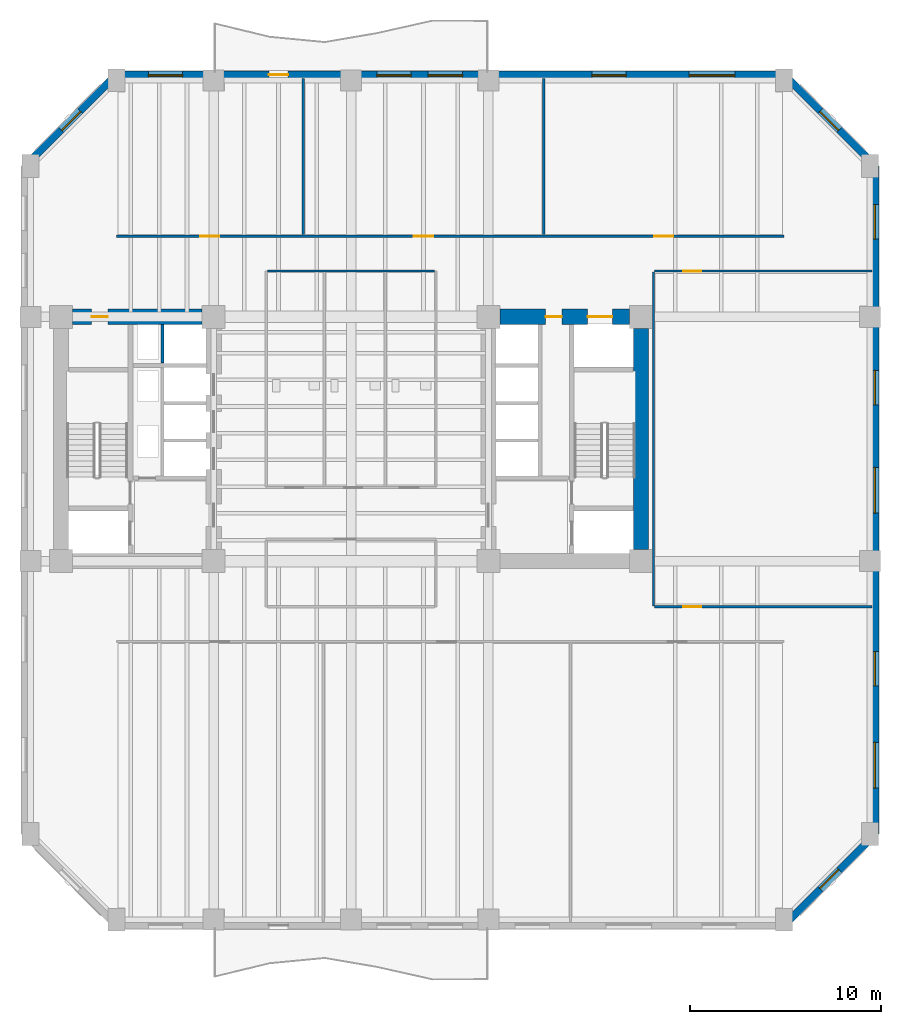
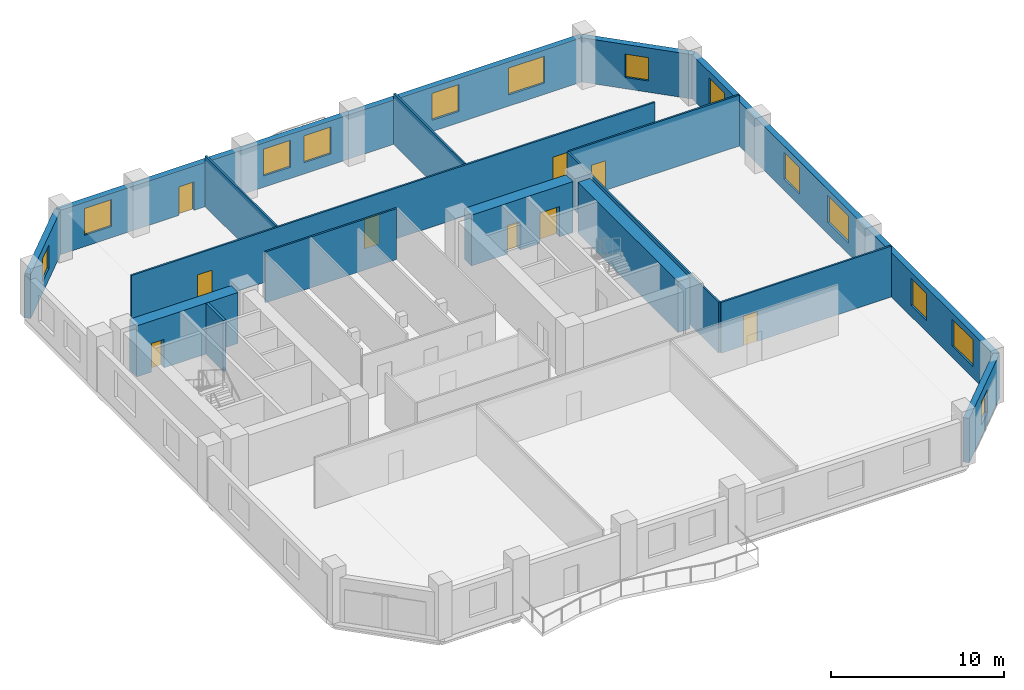
# One storey, part 4 of 9: 16 walls, 13 windows, 9 doors, 22 openings.
"""IFC4 building model written with IfcOpenShell, lengths in metres."""

import ifcopenshell
import ifcopenshell.guid

model = None  # the IFC model being written
_history = None  # IfcOwnerHistory: only IFC2X3 demands one
_inside = {}  # id of a spatial element -> (the spatial element, [elements in it])
_under = {}  # id of a project, library or spatial element -> (it, [spatial elements below it])
_declared = {}  # id of a project -> (the project, [libraries it declares])
_typed = {}  # id of a type object -> (the type object, [elements of that type])
_made_of = {}  # id of a material, layer set ... -> (it, [elements and type objects made of it])


def new_model(schema):
    """Start an empty IFC model of exactly this schema.

    Asked for "IFC4X3", IfcOpenShell would pick the latest addendum, in which some entities
    have other attributes; the version numbers below select the first issue.
    IFC2X3 requires an IfcOwnerHistory on every rooted entity: one is made here for all.
    """
    global model, _history
    if schema == "IFC4X3":
        model = ifcopenshell.file(schema_version=(4, 3, 0, 0))
    else:
        model = ifcopenshell.file(schema=schema)
    _inside.clear()
    _under.clear()
    _declared.clear()
    _typed.clear()
    _made_of.clear()
    _history = None
    if model.schema == "IFC2X3":
        org = make("IfcOrganization", Name="unknown")
        user = make(
            "IfcPersonAndOrganization",
            ThePerson=make("IfcPerson", FamilyName="unknown"),
            TheOrganization=org,
        )
        app = make(
            "IfcApplication",
            ApplicationDeveloper=org,
            Version="unknown",
            ApplicationFullName="unknown",
            ApplicationIdentifier="unknown",
        )
        _history = make(
            "IfcOwnerHistory",
            OwningUser=user,
            OwningApplication=app,
            ChangeAction="ADDED",
            CreationDate=0,
        )
    return model


def make(cls, **values):
    """One entity of the class cls with the attributes given. An attribute that is None is left unset."""
    return model.create_entity(
        cls, **{name: value for name, value in values.items() if value is not None}
    )


def rooted(cls, **values):
    """An entity with a GlobalId (a new one), such as an element, a storey or a relation."""
    return make(cls, GlobalId=ifcopenshell.guid.new(), OwnerHistory=_history, **values)


def si_unit(unit_type, name, prefix=None):
    """IfcSIUnit, for example si_unit("LENGTHUNIT", "METRE", prefix="MILLI")."""
    return make("IfcSIUnit", UnitType=unit_type, Prefix=prefix, Name=name)


def assignment(units):
    """IfcUnitAssignment: the units of a project."""
    return None if units is None else make("IfcUnitAssignment", Units=units)


def point(xyz):
    """IfcCartesianPoint."""
    return None if xyz is None else make("IfcCartesianPoint", Coordinates=xyz)


def direction(xyz):
    """IfcDirection."""
    return None if xyz is None else make("IfcDirection", DirectionRatios=xyz)


def frame(location, z_axis=None, x_axis=None):
    """IfcAxis2Placement3D, a coordinate frame: its origin and axes. An axis left out is left unset."""
    return make(
        "IfcAxis2Placement3D",
        Location=point(location),
        Axis=direction(z_axis),
        RefDirection=direction(x_axis),
    )


def frame_2d(location, x_axis=None):
    """IfcAxis2Placement2D, a coordinate frame in the plane: its origin and x axis."""
    return make(
        "IfcAxis2Placement2D", Location=point(location), RefDirection=direction(x_axis)
    )


def origin():
    """The frame at (0, 0, 0) with its axes left unset."""
    return frame((0.0, 0.0, 0.0))


def place(relative_to, where):
    """IfcLocalPlacement: puts the frame where relative to a parent placement (None: the world)."""
    return make(
        "IfcLocalPlacement", PlacementRelTo=relative_to, RelativePlacement=where
    )


def context(
    kind, dimensions, precision=None, world=None, true_north=None, identifier=None
):
    """IfcGeometricRepresentationContext, for example the 3D "Model" context."""
    return make(
        "IfcGeometricRepresentationContext",
        ContextIdentifier=identifier,
        ContextType=kind,
        CoordinateSpaceDimension=dimensions,
        Precision=precision,
        WorldCoordinateSystem=world,
        TrueNorth=true_north,
    )


def subcontext(parent, identifier, kind, view, scale=None):
    """IfcGeometricRepresentationSubContext, for example "Body" below "Model"."""
    return make(
        "IfcGeometricRepresentationSubContext",
        ContextIdentifier=identifier,
        ContextType=kind,
        ParentContext=parent,
        TargetScale=scale,
        TargetView=view,
    )


def project(units=None, contexts=None):
    """IfcProject with its units and contexts."""
    return rooted(
        "IfcProject",
        Name="project",
        RepresentationContexts=contexts,
        UnitsInContext=assignment(units),
    )


def spatial(cls, under=None, at=None, **own):
    """A site, building, storey or space (cls), placed at a placement, below another one or the project."""
    s = rooted(cls, ObjectPlacement=at, **own)
    if under is not None:
        _under.setdefault(under.id(), (under, []))[1].append(s)
    return s


def profile(cls, at=None, kind="AREA", **sizes):
    """A parametric profile (cls). Its sizes go by their IFC names, for example OverallWidth=200.0."""
    return make(cls, ProfileType=kind, Position=at, **sizes)


def rectangle(**sizes):
    """IfcRectangleProfileDef."""
    return profile("IfcRectangleProfileDef", **sizes)


def extrude(swept, where, along, depth):
    """IfcExtrudedAreaSolid: the profile swept, set in the frame where, extruded along a direction by depth."""
    return make(
        "IfcExtrudedAreaSolid",
        SweptArea=swept,
        Position=where,
        ExtrudedDirection=direction(along),
        Depth=depth,
    )


def shape(context_of_items, identifier, shape_type, items):
    """IfcShapeRepresentation: the items that make up one representation, for example the "Body"."""
    return make(
        "IfcShapeRepresentation",
        ContextOfItems=context_of_items,
        RepresentationIdentifier=identifier,
        RepresentationType=shape_type,
        Items=items,
    )


def material(Name=None, Category=None):
    """IfcMaterial."""
    return make("IfcMaterial", Name=Name, Category=Category)


def layer(
    of_material, thickness, ventilated=None, Name=None, Category=None, Priority=None
):
    """IfcMaterialLayer: one layer of a wall or slab, of a material (None: an air gap)."""
    return make(
        "IfcMaterialLayer",
        Material=of_material,
        LayerThickness=thickness,
        IsVentilated=ventilated,
        Name=Name,
        Category=Category,
        Priority=Priority,
    )


def layer_set(layers, Name=None):
    """IfcMaterialLayerSet."""
    return make("IfcMaterialLayerSet", MaterialLayers=layers, LayerSetName=Name)


def made_of(thing, what):
    """Note that an element or type object is made of a material, layer set ...; save() writes the relation."""
    if what is not None:
        _made_of.setdefault(what.id(), (what, []))[1].append(thing)
    return thing


def type_object(cls, material=None, **own):
    """A type object (cls), such as IfcWallType, which elements share."""
    return made_of(rooted(cls, **own), material)


def element(
    cls,
    number,
    at=None,
    inside=None,
    cuts=None,
    type_object=None,
    material=None,
    context=None,
    identifier="Body",
    shape_type=None,
    held_by="IfcProductDefinitionShape",
    body=None,
    shapes=None,
    **own,
):
    """One element of the class cls, such as IfcWall. Its Tag is "e" and its number.

    at: its placement. inside: the storey or other place that contains it. cuts: it is an
    opening in that element (IfcRelVoidsElement). A single representation is given by context,
    identifier, shape_type and body (its items); several are given by shapes. held_by: the class
    of the entity that holds the representations. save() writes the other relations.
    """
    e = rooted(cls, Tag="e%d" % number, ObjectPlacement=at, **own)
    if body is not None:
        shapes = [shape(context, identifier, shape_type, body)]
    if shapes is not None:
        e.Representation = make(held_by, Representations=shapes)
    if inside is not None:
        _inside.setdefault(inside.id(), (inside, []))[1].append(e)
    if cuts is not None:
        rooted(
            "IfcRelVoidsElement", RelatingBuildingElement=cuts, RelatedOpeningElement=e
        )
    if type_object is not None:
        _typed.setdefault(type_object.id(), (type_object, []))[1].append(e)
    return made_of(e, material)


def fill(opening, filler):
    """IfcRelFillsElement: the door or window that sits in an opening."""
    return rooted(
        "IfcRelFillsElement",
        RelatingOpeningElement=opening,
        RelatedBuildingElement=filler,
    )


def aggregate(whole, parts):
    """IfcRelAggregates: a whole, such as a stair, and the parts it consists of."""
    return rooted("IfcRelAggregates", RelatingObject=whole, RelatedObjects=parts)


def save(model, path):
    """Write the relations noted so far, then the file.

    IfcRelAggregates (storeys below a building ...), IfcRelContainedInSpatialStructure (elements
    in a storey), IfcRelDefinesByType, IfcRelAssociatesMaterial and IfcRelDeclares: one each for
    every whole, place, type object, material and project.
    """
    for whole, parts in _under.values():
        aggregate(whole, parts)
    for where, things in _inside.values():
        rooted(
            "IfcRelContainedInSpatialStructure",
            RelatedElements=things,
            RelatingStructure=where,
        )
    for kind, things in _typed.values():
        rooted("IfcRelDefinesByType", RelatedObjects=things, RelatingType=kind)
    for what, things in _made_of.values():
        rooted("IfcRelAssociatesMaterial", RelatedObjects=things, RelatingMaterial=what)
    for by, libraries in _declared.values():
        rooted("IfcRelDeclares", RelatingContext=by, RelatedDefinitions=libraries)
    model.write(path)


model = new_model("IFC4")

# Units and contexts
model_context = context("Model", 3, precision=1e-05, world=origin(), true_north=direction((0.0, 1.0)))
body_context = subcontext(model_context, "Body", "Model", "MODEL_VIEW")
ifc_project = project(units=[si_unit("LENGTHUNIT", "METRE"), si_unit("AREAUNIT", "SQUARE_METRE"), si_unit("VOLUMEUNIT", "CUBIC_METRE"), si_unit("PLANEANGLEUNIT", "RADIAN"), si_unit("MASSUNIT", "GRAM", prefix="KILO")], contexts=[model_context])

# Site, building, storey
site_placement = place(None, origin())
site = spatial("IfcSite", under=ifc_project, at=site_placement, CompositionType="ELEMENT")
building_placement = place(site_placement, origin())
building = spatial("IfcBuilding", under=site, at=building_placement, Name="Kranthara Brick Stack", CompositionType="ELEMENT")
storey_placement = place(building_placement, frame((0.0, 0.0, 55.5)))
storey = spatial("IfcBuildingStorey", under=building, at=storey_placement, Name="L13", CompositionType="ELEMENT", Elevation=55.5)

# Wall, opening, window
ifc_material_1 = material(Name="Kiln-fired clay brick masonry M15", Category="masonry")
ifc_layer_1 = layer(ifc_material_1, 0.3798828125)
ifc_layer_set_1 = layer_set([ifc_layer_1], Name="Kiln-fired clay brick masonry M15")
wall_type_1 = type_object("IfcWallType", Name="WL-BRK-PIER-380", PredefinedType="STANDARD", material=ifc_layer_set_1)
wall_1_placement = place(storey_placement, frame((10.909912109375, 41.5, 0.0), z_axis=(0.0, 0.0, 1.0), x_axis=(0.707106781187, 0.707106781187, 0.0)))
wall_1 = element("IfcWall", 1, at=wall_1_placement, inside=storey, type_object=wall_type_1, Name="L13 Exterior Brick Facade Wall NW 1", PredefinedType="STANDARD", context=body_context, shape_type="SweptSolid", body=[
    extrude(rectangle(XDim=6.774169921875, YDim=0.3798828125, at=frame_2d((3.38720703125, 0.0))), origin(), (0.0, 0.0, 1.0), 3.135009765625),
])
opening_1_placement = place(wall_1_placement, frame((2.68701171875, 0.0, 0.800048828125)))
opening_1 = element("IfcOpeningElement", 2, at=opening_1_placement, cuts=wall_1, Name="Opening WN10", PredefinedType="OPENING", context=body_context, shape_type="SweptSolid", body=[
    extrude(rectangle(XDim=1.39990234375, YDim=1.64990234375, at=frame_2d((0.699951171875, 0.824951171875))), frame((0.0, 0.199951171875, 0.0), z_axis=(0.0, -1.0, 0.0), x_axis=(1.0, 0.0, 0.0)), (0.0, 0.0, 1.0), 0.39990234375),
])
ifc_material_2 = material(Name="Double-glazed low-E solar control glass", Category="glass")
window_type_1 = type_object("IfcWindowType", Name="WN-CHM-1400x1750", PartitioningType="SINGLE_PANEL", PredefinedType="WINDOW", material=ifc_material_2)
window_1_placement = place(opening_1_placement, origin())
window_1 = element("IfcWindow", 3, at=window_1_placement, inside=storey, type_object=window_type_1, Name="L13 NW Chamfer Corner Window", OverallHeight=1.64990234375, OverallWidth=1.39990234375, PartitioningType="SINGLE_PANEL", PredefinedType="WINDOW", context=body_context, shape_type="SweptSolid", body=[
    extrude(rectangle(XDim=1.39990234375, YDim=1.64990234375, at=frame_2d((0.699951171875, 0.824951171875))), frame((0.0, -0.010009765625, 0.0), z_axis=(0.0, -1.0, 0.0), x_axis=(1.0, 0.0, 0.0)), (0.0, 0.0, 1.0), 0.06005859375),
])
fill(opening_1, window_1)

# Wall, openings, door, windows
wall_2_placement = place(storey_placement, frame((15.699951171875, 46.2900390625, 0.0), z_axis=(0.0, 0.0, 1.0), x_axis=(1.0, 0.0, 0.0)))
wall_2 = element("IfcWall", 4, at=wall_2_placement, inside=storey, type_object=wall_type_1, Name="L13 Exterior Brick Facade Wall NORTH 1", PredefinedType="STANDARD", context=body_context, shape_type="SweptSolid", body=[
    extrude(rectangle(XDim=35.0, YDim=0.3798828125, at=frame_2d((17.5, 0.0))), origin(), (0.0, 0.0, 1.0), 3.135009765625),
])
opening_2_placement = place(wall_2_placement, frame((8.0, 0.0, 0.0)))
opening_2 = element("IfcOpeningElement", 5, at=opening_2_placement, cuts=wall_2, Name="Opening D03", PredefinedType="OPENING", context=body_context, shape_type="SweptSolid", body=[
    extrude(rectangle(XDim=1.0, YDim=2.02001953125, at=frame_2d((0.5, 1.010009765625))), frame((0.0, 0.199951171875, 0.0), z_axis=(0.0, -1.0, 0.0), x_axis=(1.0, 0.0, 0.0)), (0.0, 0.0, 1.0), 0.39990234375),
])
opening_3_placement = place(wall_2_placement, frame((1.675048828125, 0.0, 0.800048828125)))
opening_3 = element("IfcOpeningElement", 6, at=opening_3_placement, cuts=wall_2, Name="Opening WN01", PredefinedType="OPENING", context=body_context, shape_type="SweptSolid", body=[
    extrude(rectangle(XDim=1.800048828125, YDim=1.89990234375, at=frame_2d((0.89990234375, 0.949951171875))), frame((0.0, 0.199951171875, 0.0), z_axis=(0.0, -1.0, 0.0), x_axis=(1.0, 0.0, 0.0)), (0.0, 0.0, 1.0), 0.39990234375),
])
opening_4_placement = place(wall_2_placement, frame((13.656005859375, 0.0, 0.800048828125)))
opening_4 = element("IfcOpeningElement", 7, at=opening_4_placement, cuts=wall_2, Name="Opening WN01", PredefinedType="OPENING", context=body_context, shape_type="SweptSolid", body=[
    extrude(rectangle(XDim=1.800048828125, YDim=1.89990234375, at=frame_2d((0.89990234375, 0.949951171875))), frame((0.0, 0.199951171875, 0.0), z_axis=(0.0, -1.0, 0.0), x_axis=(1.0, 0.0, 0.0)), (0.0, 0.0, 1.0), 0.39990234375),
])
opening_5_placement = place(wall_2_placement, frame((16.343994140625, 0.0, 0.800048828125)))
opening_5 = element("IfcOpeningElement", 8, at=opening_5_placement, cuts=wall_2, Name="Opening WN01", PredefinedType="OPENING", context=body_context, shape_type="SweptSolid", body=[
    extrude(rectangle(XDim=1.800048828125, YDim=1.89990234375, at=frame_2d((0.89990234375, 0.949951171875))), frame((0.0, 0.199951171875, 0.0), z_axis=(0.0, -1.0, 0.0), x_axis=(1.0, 0.0, 0.0)), (0.0, 0.0, 1.0), 0.39990234375),
])
opening_6_placement = place(wall_2_placement, frame((24.925048828125, 0.0, 0.800048828125)))
opening_6 = element("IfcOpeningElement", 9, at=opening_6_placement, cuts=wall_2, Name="Opening WN01", PredefinedType="OPENING", context=body_context, shape_type="SweptSolid", body=[
    extrude(rectangle(XDim=1.800048828125, YDim=1.89990234375, at=frame_2d((0.89990234375, 0.949951171875))), frame((0.0, 0.199951171875, 0.0), z_axis=(0.0, -1.0, 0.0), x_axis=(1.0, 0.0, 0.0)), (0.0, 0.0, 1.0), 0.39990234375),
])
opening_7_placement = place(wall_2_placement, frame((30.02490234375, 0.0, 0.800048828125)))
opening_7 = element("IfcOpeningElement", 10, at=opening_7_placement, cuts=wall_2, Name="Opening WN02", PredefinedType="OPENING", context=body_context, shape_type="SweptSolid", body=[
    extrude(rectangle(XDim=2.39990234375, YDim=1.89990234375, at=frame_2d((1.199951171875, 0.949951171875))), frame((0.0, 0.199951171875, 0.0), z_axis=(0.0, -1.0, 0.0), x_axis=(1.0, 0.0, 0.0)), (0.0, 0.0, 1.0), 0.39990234375),
])
ifc_material_3 = material(Name="Bronze anodised aluminium and laminated glass", Category="aluminium")
door_type_1 = type_object("IfcDoorType", Name="DR-BALC-1000", OperationType="NOTDEFINED", PredefinedType="DOOR", material=ifc_material_3)
door_1_placement = place(opening_2_placement, origin())
door_1 = element("IfcDoor", 11, at=door_1_placement, inside=storey, type_object=door_type_1, Name="L13 North Balcony Terrace Door", OperationType="SINGLE_SWING_RIGHT", OverallHeight=2.02001953125, OverallWidth=1.0, PredefinedType="DOOR", context=body_context, shape_type="SweptSolid", body=[
    extrude(rectangle(XDim=1.0, YDim=2.02001953125, at=frame_2d((0.5, 1.010009765625))), frame((0.0, 0.02490234375, 0.0), z_axis=(0.0, -1.0, 0.0), x_axis=(1.0, 0.0, 0.0)), (0.0, 0.0, 1.0), 0.050048828125),
])
fill(opening_2, door_1)
ifc_material_4 = material(Name="Double-glazed low-E solar control glass", Category="glass")
window_type_2 = type_object("IfcWindowType", Name="WN-OFF-1800x2000", PartitioningType="SINGLE_PANEL", PredefinedType="WINDOW", material=ifc_material_4)
window_2_placement = place(opening_3_placement, origin())
window_2 = element("IfcWindow", 12, at=window_2_placement, inside=storey, type_object=window_type_2, Name="L13 North Deep-Set Brick Window 01", OverallHeight=1.89990234375, OverallWidth=1.800048828125, PartitioningType="SINGLE_PANEL", PredefinedType="WINDOW", context=body_context, shape_type="SweptSolid", body=[
    extrude(rectangle(XDim=1.800048828125, YDim=1.89990234375, at=frame_2d((0.89990234375, 0.949951171875))), frame((0.0, -0.010009765625, 0.0), z_axis=(0.0, -1.0, 0.0), x_axis=(1.0, 0.0, 0.0)), (0.0, 0.0, 1.0), 0.06005859375),
])
fill(opening_3, window_2)
window_3_placement = place(opening_4_placement, origin())
window_3 = element("IfcWindow", 13, at=window_3_placement, inside=storey, type_object=window_type_2, Name="L13 North Deep-Set Brick Window 02", OverallHeight=1.89990234375, OverallWidth=1.800048828125, PartitioningType="SINGLE_PANEL", PredefinedType="WINDOW", context=body_context, shape_type="SweptSolid", body=[
    extrude(rectangle(XDim=1.800048828125, YDim=1.89990234375, at=frame_2d((0.89990234375, 0.949951171875))), frame((0.0, -0.010009765625, 0.0), z_axis=(0.0, -1.0, 0.0), x_axis=(1.0, 0.0, 0.0)), (0.0, 0.0, 1.0), 0.06005859375),
])
fill(opening_4, window_3)
window_4_placement = place(opening_5_placement, origin())
window_4 = element("IfcWindow", 14, at=window_4_placement, inside=storey, type_object=window_type_2, Name="L13 North Deep-Set Brick Window 03", OverallHeight=1.89990234375, OverallWidth=1.800048828125, PartitioningType="SINGLE_PANEL", PredefinedType="WINDOW", context=body_context, shape_type="SweptSolid", body=[
    extrude(rectangle(XDim=1.800048828125, YDim=1.89990234375, at=frame_2d((0.89990234375, 0.949951171875))), frame((0.0, -0.010009765625, 0.0), z_axis=(0.0, -1.0, 0.0), x_axis=(1.0, 0.0, 0.0)), (0.0, 0.0, 1.0), 0.06005859375),
])
fill(opening_5, window_4)
window_5_placement = place(opening_6_placement, origin())
window_5 = element("IfcWindow", 15, at=window_5_placement, inside=storey, type_object=window_type_2, Name="L13 North Deep-Set Brick Window 04", OverallHeight=1.89990234375, OverallWidth=1.800048828125, PartitioningType="SINGLE_PANEL", PredefinedType="WINDOW", context=body_context, shape_type="SweptSolid", body=[
    extrude(rectangle(XDim=1.800048828125, YDim=1.89990234375, at=frame_2d((0.89990234375, 0.949951171875))), frame((0.0, -0.010009765625, 0.0), z_axis=(0.0, -1.0, 0.0), x_axis=(1.0, 0.0, 0.0)), (0.0, 0.0, 1.0), 0.06005859375),
])
fill(opening_6, window_5)
ifc_material_5 = material(Name="Double-glazed low-E solar control glass", Category="glass")
window_type_3 = type_object("IfcWindowType", Name="WN-OFF-2400x2000", PartitioningType="DOUBLE_PANEL_VERTICAL", PredefinedType="WINDOW", material=ifc_material_5)
window_6_placement = place(opening_7_placement, origin())
window_6 = element("IfcWindow", 16, at=window_6_placement, inside=storey, type_object=window_type_3, Name="L13 North Deep-Set Brick Window 05", OverallHeight=1.89990234375, OverallWidth=2.39990234375, PartitioningType="SINGLE_PANEL", PredefinedType="WINDOW", context=body_context, shape_type="SweptSolid", body=[
    extrude(rectangle(XDim=2.39990234375, YDim=1.89990234375, at=frame_2d((1.199951171875, 0.949951171875))), frame((0.0, -0.010009765625, 0.0), z_axis=(0.0, -1.0, 0.0), x_axis=(1.0, 0.0, 0.0)), (0.0, 0.0, 1.0), 0.06005859375),
])
fill(opening_7, window_6)

# Wall, opening, window
wall_3_placement = place(storey_placement, frame((50.699951171875, 46.2900390625, 0.0), z_axis=(0.0, 0.0, 1.0), x_axis=(0.707106781187, -0.707106781187, 0.0)))
wall_3 = element("IfcWall", 17, at=wall_3_placement, inside=storey, type_object=wall_type_1, Name="L13 Exterior Brick Facade Wall NE 1", PredefinedType="STANDARD", context=body_context, shape_type="SweptSolid", body=[
    extrude(rectangle(XDim=6.774169921875, YDim=0.3798828125, at=frame_2d((3.38720703125, 0.0))), origin(), (0.0, 0.0, 1.0), 3.135009765625),
])
opening_8_placement = place(wall_3_placement, frame((2.68701171875, 0.0, 0.800048828125)))
opening_8 = element("IfcOpeningElement", 18, at=opening_8_placement, cuts=wall_3, Name="Opening WN10", PredefinedType="OPENING", context=body_context, shape_type="SweptSolid", body=[
    extrude(rectangle(XDim=1.39990234375, YDim=1.64990234375, at=frame_2d((0.699951171875, 0.824951171875))), frame((0.0, 0.199951171875, 0.0), z_axis=(0.0, -1.0, 0.0), x_axis=(1.0, 0.0, 0.0)), (0.0, 0.0, 1.0), 0.39990234375),
])
window_7_placement = place(opening_8_placement, origin())
window_7 = element("IfcWindow", 19, at=window_7_placement, inside=storey, type_object=window_type_1, Name="L13 NE Chamfer Corner Window", OverallHeight=1.64990234375, OverallWidth=1.39990234375, PartitioningType="SINGLE_PANEL", PredefinedType="WINDOW", context=body_context, shape_type="SweptSolid", body=[
    extrude(rectangle(XDim=1.39990234375, YDim=1.64990234375, at=frame_2d((0.699951171875, 0.824951171875))), frame((0.0, -0.010009765625, 0.0), z_axis=(0.0, -1.0, 0.0), x_axis=(1.0, 0.0, 0.0)), (0.0, 0.0, 1.0), 0.06005859375),
])
fill(opening_8, window_7)

# Wall, openings, windows
wall_4_placement = place(storey_placement, frame((55.489990234375, 41.5, 0.0), z_axis=(0.0, 0.0, 1.0), x_axis=(0.0, -1.0, 0.0)))
wall_4 = element("IfcWall", 20, at=wall_4_placement, inside=storey, type_object=wall_type_1, Name="L13 Exterior Brick Facade Wall EAST 1", PredefinedType="STANDARD", context=body_context, shape_type="SweptSolid", body=[
    extrude(rectangle(XDim=35.0, YDim=0.3798828125, at=frame_2d((17.5, 0.0))), origin(), (0.0, 0.0, 1.0), 3.135009765625),
])
opening_9_placement = place(wall_4_placement, frame((2.02490234375, 0.0, 0.800048828125)))
opening_9 = element("IfcOpeningElement", 21, at=opening_9_placement, cuts=wall_4, Name="Opening WN01", PredefinedType="OPENING", context=body_context, shape_type="SweptSolid", body=[
    extrude(rectangle(XDim=1.800048828125, YDim=1.89990234375, at=frame_2d((0.89990234375, 0.949951171875))), frame((0.0, 0.199951171875, 0.0), z_axis=(0.0, -1.0, 0.0), x_axis=(1.0, 0.0, 0.0)), (0.0, 0.0, 1.0), 0.39990234375),
])
opening_10_placement = place(wall_4_placement, frame((10.7119140625, 0.0, 0.800048828125)))
opening_10 = element("IfcOpeningElement", 22, at=opening_10_placement, cuts=wall_4, Name="Opening WN01", PredefinedType="OPENING", context=body_context, shape_type="SweptSolid", body=[
    extrude(rectangle(XDim=1.800048828125, YDim=1.89990234375, at=frame_2d((0.89990234375, 0.949951171875))), frame((0.0, 0.199951171875, 0.0), z_axis=(0.0, -1.0, 0.0), x_axis=(1.0, 0.0, 0.0)), (0.0, 0.0, 1.0), 0.39990234375),
])
opening_11_placement = place(wall_4_placement, frame((15.7880859375, 0.0, 0.800048828125)))
opening_11 = element("IfcOpeningElement", 23, at=opening_11_placement, cuts=wall_4, Name="Opening WN02", PredefinedType="OPENING", context=body_context, shape_type="SweptSolid", body=[
    extrude(rectangle(XDim=2.39990234375, YDim=1.89990234375, at=frame_2d((1.199951171875, 0.949951171875))), frame((0.0, 0.199951171875, 0.0), z_axis=(0.0, -1.0, 0.0), x_axis=(1.0, 0.0, 0.0)), (0.0, 0.0, 1.0), 0.39990234375),
])
opening_12_placement = place(wall_4_placement, frame((25.443115234375, 0.0, 0.800048828125)))
opening_12 = element("IfcOpeningElement", 24, at=opening_12_placement, cuts=wall_4, Name="Opening WN01", PredefinedType="OPENING", context=body_context, shape_type="SweptSolid", body=[
    extrude(rectangle(XDim=1.800048828125, YDim=1.89990234375, at=frame_2d((0.89990234375, 0.949951171875))), frame((0.0, 0.199951171875, 0.0), z_axis=(0.0, -1.0, 0.0), x_axis=(1.0, 0.0, 0.0)), (0.0, 0.0, 1.0), 0.39990234375),
])
opening_13_placement = place(wall_4_placement, frame((30.20703125, 0.0, 0.800048828125)))
opening_13 = element("IfcOpeningElement", 25, at=opening_13_placement, cuts=wall_4, Name="Opening WN02", PredefinedType="OPENING", context=body_context, shape_type="SweptSolid", body=[
    extrude(rectangle(XDim=2.39990234375, YDim=1.89990234375, at=frame_2d((1.199951171875, 0.949951171875))), frame((0.0, 0.199951171875, 0.0), z_axis=(0.0, -1.0, 0.0), x_axis=(1.0, 0.0, 0.0)), (0.0, 0.0, 1.0), 0.39990234375),
])
window_8_placement = place(opening_9_placement, origin())
window_8 = element("IfcWindow", 26, at=window_8_placement, inside=storey, type_object=window_type_2, Name="L13 East Deep-Set Brick Window 01", OverallHeight=1.89990234375, OverallWidth=1.800048828125, PartitioningType="SINGLE_PANEL", PredefinedType="WINDOW", context=body_context, shape_type="SweptSolid", body=[
    extrude(rectangle(XDim=1.800048828125, YDim=1.89990234375, at=frame_2d((0.89990234375, 0.949951171875))), frame((0.0, -0.010009765625, 0.0), z_axis=(0.0, -1.0, 0.0), x_axis=(1.0, 0.0, 0.0)), (0.0, 0.0, 1.0), 0.06005859375),
])
fill(opening_9, window_8)
window_9_placement = place(opening_10_placement, origin())
window_9 = element("IfcWindow", 27, at=window_9_placement, inside=storey, type_object=window_type_2, Name="L13 East Deep-Set Brick Window 02", OverallHeight=1.89990234375, OverallWidth=1.800048828125, PartitioningType="SINGLE_PANEL", PredefinedType="WINDOW", context=body_context, shape_type="SweptSolid", body=[
    extrude(rectangle(XDim=1.800048828125, YDim=1.89990234375, at=frame_2d((0.89990234375, 0.949951171875))), frame((0.0, -0.010009765625, 0.0), z_axis=(0.0, -1.0, 0.0), x_axis=(1.0, 0.0, 0.0)), (0.0, 0.0, 1.0), 0.06005859375),
])
fill(opening_10, window_9)
window_10_placement = place(opening_12_placement, origin())
window_10 = element("IfcWindow", 28, at=window_10_placement, inside=storey, type_object=window_type_2, Name="L13 East Deep-Set Brick Window 04", OverallHeight=1.89990234375, OverallWidth=1.800048828125, PartitioningType="SINGLE_PANEL", PredefinedType="WINDOW", context=body_context, shape_type="SweptSolid", body=[
    extrude(rectangle(XDim=1.800048828125, YDim=1.89990234375, at=frame_2d((0.89990234375, 0.949951171875))), frame((0.0, -0.010009765625, 0.0), z_axis=(0.0, -1.0, 0.0), x_axis=(1.0, 0.0, 0.0)), (0.0, 0.0, 1.0), 0.06005859375),
])
fill(opening_12, window_10)
window_11_placement = place(opening_11_placement, origin())
window_11 = element("IfcWindow", 29, at=window_11_placement, inside=storey, type_object=window_type_3, Name="L13 East Deep-Set Brick Window 03", OverallHeight=1.89990234375, OverallWidth=2.39990234375, PartitioningType="SINGLE_PANEL", PredefinedType="WINDOW", context=body_context, shape_type="SweptSolid", body=[
    extrude(rectangle(XDim=2.39990234375, YDim=1.89990234375, at=frame_2d((1.199951171875, 0.949951171875))), frame((0.0, -0.010009765625, 0.0), z_axis=(0.0, -1.0, 0.0), x_axis=(1.0, 0.0, 0.0)), (0.0, 0.0, 1.0), 0.06005859375),
])
fill(opening_11, window_11)
window_12_placement = place(opening_13_placement, origin())
window_12 = element("IfcWindow", 30, at=window_12_placement, inside=storey, type_object=window_type_3, Name="L13 East Deep-Set Brick Window 05", OverallHeight=1.89990234375, OverallWidth=2.39990234375, PartitioningType="SINGLE_PANEL", PredefinedType="WINDOW", context=body_context, shape_type="SweptSolid", body=[
    extrude(rectangle(XDim=2.39990234375, YDim=1.89990234375, at=frame_2d((1.199951171875, 0.949951171875))), frame((0.0, -0.010009765625, 0.0), z_axis=(0.0, -1.0, 0.0), x_axis=(1.0, 0.0, 0.0)), (0.0, 0.0, 1.0), 0.06005859375),
])
fill(opening_13, window_12)

# Wall, opening, window
wall_5_placement = place(storey_placement, frame((55.489990234375, 6.5, 0.0), z_axis=(0.0, 0.0, 1.0), x_axis=(-0.707106781187, -0.707106781187, 0.0)))
wall_5 = element("IfcWall", 31, at=wall_5_placement, inside=storey, type_object=wall_type_1, Name="L13 Exterior Brick Facade Wall SE 1", PredefinedType="STANDARD", context=body_context, shape_type="SweptSolid", body=[
    extrude(rectangle(XDim=6.774169921875, YDim=0.3798828125, at=frame_2d((3.38720703125, 0.0))), origin(), (0.0, 0.0, 1.0), 3.135009765625),
])
opening_14_placement = place(wall_5_placement, frame((2.68701171875, 0.0, 0.800048828125)))
opening_14 = element("IfcOpeningElement", 32, at=opening_14_placement, cuts=wall_5, Name="Opening WN10", PredefinedType="OPENING", context=body_context, shape_type="SweptSolid", body=[
    extrude(rectangle(XDim=1.39990234375, YDim=1.64990234375, at=frame_2d((0.699951171875, 0.824951171875))), frame((0.0, 0.199951171875, 0.0), z_axis=(0.0, -1.0, 0.0), x_axis=(1.0, 0.0, 0.0)), (0.0, 0.0, 1.0), 0.39990234375),
])
window_13_placement = place(opening_14_placement, origin())
window_13 = element("IfcWindow", 33, at=window_13_placement, inside=storey, type_object=window_type_1, Name="L13 SE Chamfer Corner Window", OverallHeight=1.64990234375, OverallWidth=1.39990234375, PartitioningType="SINGLE_PANEL", PredefinedType="WINDOW", context=body_context, shape_type="SweptSolid", body=[
    extrude(rectangle(XDim=1.39990234375, YDim=1.64990234375, at=frame_2d((0.699951171875, 0.824951171875))), frame((0.0, -0.010009765625, 0.0), z_axis=(0.0, -1.0, 0.0), x_axis=(1.0, 0.0, 0.0)), (0.0, 0.0, 1.0), 0.06005859375),
])
fill(opening_14, window_13)

# Wall, opening, door
ifc_material_6 = material(Name="Concrete C70/85", Category="concrete")
ifc_layer_2 = layer(ifc_material_6, 0.800048828125)
ifc_layer_set_2 = layer_set([ifc_layer_2], Name="Concrete C70/85")
wall_type_2 = type_object("IfcWallType", Name="WL-CORE-800", PredefinedType="SHEAR", material=ifc_layer_set_2)
wall_6_placement = place(storey_placement, frame((13.405029296875, 33.60009765625, 0.0), z_axis=(0.0, 0.0, 1.0), x_axis=(1.0, 0.0, 0.0)))
wall_6 = element("IfcWall", 34, at=wall_6_placement, inside=storey, type_object=wall_type_2, Name="L13 West Core Shear Wall North", PredefinedType="SHEAR", context=body_context, shape_type="SweptSolid", body=[
    extrude(rectangle(XDim=6.7900390625, YDim=0.800048828125, at=frame_2d((3.39501953125, 0.0))), origin(), (0.0, 0.0, 1.0), 3.60009765625),
])
opening_15_placement = place(wall_6_placement, frame((0.9951171875, 0.0, 0.0)))
opening_15 = element("IfcOpeningElement", 35, at=opening_15_placement, cuts=wall_6, Name="Opening D10", PredefinedType="OPENING", context=body_context, shape_type="SweptSolid", body=[
    extrude(rectangle(XDim=0.85009765625, YDim=2.02001953125, at=frame_2d((0.425048828125, 1.010009765625))), frame((0.0, 0.409912109375, 0.0), z_axis=(0.0, -1.0, 0.0), x_axis=(1.0, 0.0, 0.0)), (0.0, 0.0, 1.0), 0.820068359375),
])
ifc_material_7 = material(Name="Solid-core hardwood timber leaf in steel frame", Category="steel")
door_type_2 = type_object("IfcDoorType", Name="DR-RSR-850", OperationType="NOTDEFINED", PredefinedType="DOOR", material=ifc_material_7)
door_2_placement = place(opening_15_placement, origin())
door_2 = element("IfcDoor", 36, at=door_2_placement, inside=storey, type_object=door_type_2, Name="L13 West Core Service Door 1", OperationType="SINGLE_SWING_LEFT", OverallHeight=2.02001953125, OverallWidth=0.85009765625, PredefinedType="DOOR", context=body_context, shape_type="SweptSolid", body=[
    extrude(rectangle(XDim=0.85009765625, YDim=2.02001953125, at=frame_2d((0.425048828125, 1.010009765625))), frame((0.0, 0.02490234375, 0.0), z_axis=(0.0, -1.0, 0.0), x_axis=(1.0, 0.0, 0.0)), (0.0, 0.0, 1.0), 0.050048828125),
])
fill(opening_15, door_2)

# Wall
wall_7_placement = place(storey_placement, frame((43.199951171875, 21.405029296875, 0.0), z_axis=(0.0, 0.0, 1.0), x_axis=(0.0, 1.0, 0.0)))
element("IfcWall", 37, at=wall_7_placement, inside=storey, type_object=wall_type_2, Name="L13 East Core Shear Wall East", PredefinedType="SHEAR", context=body_context, shape_type="SweptSolid", body=[
    extrude(rectangle(XDim=11.590087890625, YDim=0.800048828125, at=frame_2d((5.794921875, 0.0))), origin(), (0.0, 0.0, 1.0), 3.60009765625),
])

# Wall, openings, doors
wall_8_placement = place(storey_placement, frame((35.804931640625, 33.60009765625, 0.0), z_axis=(0.0, 0.0, 1.0), x_axis=(1.0, 0.0, 0.0)))
wall_8 = element("IfcWall", 38, at=wall_8_placement, inside=storey, type_object=wall_type_2, Name="L13 East Core Shear Wall North", PredefinedType="SHEAR", context=body_context, shape_type="SweptSolid", body=[
    extrude(rectangle(XDim=6.7900390625, YDim=0.800048828125, at=frame_2d((3.39501953125, 0.0))), origin(), (0.0, 0.0, 1.0), 3.60009765625),
])
opening_16_placement = place(wall_8_placement, frame((4.594970703125, 0.0, 0.0)))
opening_16 = element("IfcOpeningElement", 39, at=opening_16_placement, cuts=wall_8, Name="Opening LD03", PredefinedType="OPENING", context=body_context, shape_type="SweptSolid", body=[
    extrude(rectangle(XDim=1.300048828125, YDim=2.14990234375, at=frame_2d((0.64990234375, 1.074951171875))), frame((0.0, 0.409912109375, 0.0), z_axis=(0.0, -1.0, 0.0), x_axis=(1.0, 0.0, 0.0)), (0.0, 0.0, 1.0), 0.820068359375),
])
opening_17_placement = place(wall_8_placement, frame((2.39501953125, 0.0, 0.0)))
opening_17 = element("IfcOpeningElement", 40, at=opening_17_placement, cuts=wall_8, Name="Opening D10", PredefinedType="OPENING", context=body_context, shape_type="SweptSolid", body=[
    extrude(rectangle(XDim=0.85009765625, YDim=2.02001953125, at=frame_2d((0.425048828125, 1.010009765625))), frame((0.0, 0.409912109375, 0.0), z_axis=(0.0, -1.0, 0.0), x_axis=(1.0, 0.0, 0.0)), (0.0, 0.0, 1.0), 0.820068359375),
])
ifc_material_8 = material(Name="Stainless steel sliding landing door", Category="steel")
door_type_3 = type_object("IfcDoorType", Name="DR-LD-SV1300", OperationType="DOUBLE_DOOR_SLIDING", PredefinedType="DOOR", material=ifc_material_8)
door_3_placement = place(opening_16_placement, origin())
door_3 = element("IfcDoor", 41, at=door_3_placement, inside=storey, type_object=door_type_3, Name="L13 Stretcher Service Lift SV-01 Landing Door", OperationType="DOUBLE_DOOR_SLIDING", OverallHeight=2.14990234375, OverallWidth=1.300048828125, PredefinedType="DOOR", context=body_context, shape_type="SweptSolid", body=[
    extrude(rectangle(XDim=1.300048828125, YDim=2.14990234375, at=frame_2d((0.64990234375, 1.074951171875))), frame((0.0, 0.02490234375, 0.0), z_axis=(0.0, -1.0, 0.0), x_axis=(1.0, 0.0, 0.0)), (0.0, 0.0, 1.0), 0.050048828125),
])
fill(opening_16, door_3)
door_4_placement = place(opening_17_placement, origin())
door_4 = element("IfcDoor", 42, at=door_4_placement, inside=storey, type_object=door_type_2, Name="L13 East Core Service Room Door", OperationType="SINGLE_SWING_LEFT", OverallHeight=2.02001953125, OverallWidth=0.85009765625, PredefinedType="DOOR", context=body_context, shape_type="SweptSolid", body=[
    extrude(rectangle(XDim=0.85009765625, YDim=2.02001953125, at=frame_2d((0.425048828125, 1.010009765625))), frame((0.0, 0.02490234375, 0.0), z_axis=(0.0, -1.0, 0.0), x_axis=(1.0, 0.0, 0.0)), (0.0, 0.0, 1.0), 0.050048828125),
])
fill(opening_17, door_4)

# Wall
ifc_material_9 = material(Name="Acoustic gypsum plasterboard partition", Category="other")
ifc_layer_3 = layer(ifc_material_9, 0.1201171875)
ifc_layer_set_3 = layer_set([ifc_layer_3], Name="Acoustic gypsum plasterboard partition")
wall_type_3 = type_object("IfcWallType", Name="WL-PART-120", PredefinedType="PARTITIONING", material=ifc_layer_set_3)
wall_9_placement = place(storey_placement, frame((23.614990234375, 36.0, 0.0), z_axis=(0.0, 0.0, 1.0), x_axis=(1.0, 0.0, 0.0)))
element("IfcWall", 43, at=wall_9_placement, inside=storey, type_object=wall_type_3, Name="L13 Interior Partition 006", PredefinedType="PARTITIONING", context=body_context, shape_type="SweptSolid", body=[
    extrude(rectangle(XDim=8.77001953125, YDim=0.1201171875, at=frame_2d((4.385009765625, 0.0))), origin(), (0.0, 0.0, 1.0), 3.60009765625),
])

# Wall, openings, doors
wall_10_placement = place(storey_placement, frame((15.699951171875, 37.820068359375, 0.0), z_axis=(0.0, 0.0, 1.0), x_axis=(1.0, 0.0, 0.0)))
wall_10 = element("IfcWall", 44, at=wall_10_placement, inside=storey, type_object=wall_type_3, Name="L13 Interior Partition 014", PredefinedType="PARTITIONING", context=body_context, shape_type="SweptSolid", body=[
    extrude(rectangle(XDim=35.0, YDim=0.1201171875, at=frame_2d((17.5, 0.0))), origin(), (0.0, 0.0, 1.0), 3.60009765625),
])
opening_18_placement = place(wall_10_placement, frame((4.39990234375, 0.0, 0.0)))
opening_18 = element("IfcOpeningElement", 45, at=opening_18_placement, cuts=wall_10, Name="Opening D13", PredefinedType="OPENING", context=body_context, shape_type="SweptSolid", body=[
    extrude(rectangle(XDim=1.0, YDim=2.10009765625, at=frame_2d((0.5, 1.050048828125))), frame((0.0, 0.070068359375, 0.0), z_axis=(0.0, -1.0, 0.0), x_axis=(1.0, 0.0, 0.0)), (0.0, 0.0, 1.0), 0.14013671875),
])
opening_19_placement = place(wall_10_placement, frame((15.60009765625, 0.0, 0.0)))
opening_19 = element("IfcOpeningElement", 46, at=opening_19_placement, cuts=wall_10, Name="Opening D13", PredefinedType="OPENING", context=body_context, shape_type="SweptSolid", body=[
    extrude(rectangle(XDim=1.0, YDim=2.10009765625, at=frame_2d((0.5, 1.050048828125))), frame((0.0, 0.070068359375, 0.0), z_axis=(0.0, -1.0, 0.0), x_axis=(1.0, 0.0, 0.0)), (0.0, 0.0, 1.0), 0.14013671875),
])
opening_20_placement = place(wall_10_placement, frame((28.199951171875, 0.0, 0.0)))
opening_20 = element("IfcOpeningElement", 47, at=opening_20_placement, cuts=wall_10, Name="Opening D13", PredefinedType="OPENING", context=body_context, shape_type="SweptSolid", body=[
    extrude(rectangle(XDim=1.0, YDim=2.10009765625, at=frame_2d((0.5, 1.050048828125))), frame((0.0, 0.070068359375, 0.0), z_axis=(0.0, -1.0, 0.0), x_axis=(1.0, 0.0, 0.0)), (0.0, 0.0, 1.0), 0.14013671875),
])
ifc_material_10 = material(Name="Solid-core hardwood timber leaf in steel frame", Category="steel")
door_type_4 = type_object("IfcDoorType", Name="DR-INT-1000", OperationType="NOTDEFINED", PredefinedType="DOOR", material=ifc_material_10)
door_5_placement = place(opening_18_placement, origin())
door_5 = element("IfcDoor", 48, at=door_5_placement, inside=storey, type_object=door_type_4, Name="L13 Open Plan Workspace 08", OperationType="SINGLE_SWING_RIGHT", OverallHeight=2.10009765625, OverallWidth=1.0, PredefinedType="DOOR", context=body_context, shape_type="SweptSolid", body=[
    extrude(rectangle(XDim=1.0, YDim=2.10009765625, at=frame_2d((0.5, 1.050048828125))), frame((0.0, 0.02490234375, 0.0), z_axis=(0.0, -1.0, 0.0), x_axis=(1.0, 0.0, 0.0)), (0.0, 0.0, 1.0), 0.050048828125),
])
fill(opening_18, door_5)
door_6_placement = place(opening_19_placement, origin())
door_6 = element("IfcDoor", 49, at=door_6_placement, inside=storey, type_object=door_type_4, Name="L13 Collaboration Lounge 09", OperationType="SINGLE_SWING_LEFT", OverallHeight=2.10009765625, OverallWidth=1.0, PredefinedType="DOOR", context=body_context, shape_type="SweptSolid", body=[
    extrude(rectangle(XDim=1.0, YDim=2.10009765625, at=frame_2d((0.5, 1.050048828125))), frame((0.0, 0.02490234375, 0.0), z_axis=(0.0, -1.0, 0.0), x_axis=(1.0, 0.0, 0.0)), (0.0, 0.0, 1.0), 0.050048828125),
])
fill(opening_19, door_6)
door_7_placement = place(opening_20_placement, origin())
door_7 = element("IfcDoor", 50, at=door_7_placement, inside=storey, type_object=door_type_4, Name="L13 Client Briefing Suite 10", OperationType="SINGLE_SWING_RIGHT", OverallHeight=2.10009765625, OverallWidth=1.0, PredefinedType="DOOR", context=body_context, shape_type="SweptSolid", body=[
    extrude(rectangle(XDim=1.0, YDim=2.10009765625, at=frame_2d((0.5, 1.050048828125))), frame((0.0, 0.02490234375, 0.0), z_axis=(0.0, -1.0, 0.0), x_axis=(1.0, 0.0, 0.0)), (0.0, 0.0, 1.0), 0.050048828125),
])
fill(opening_20, door_7)

# Walls
for number, where, z_axis, x_axis, name in (
    (51, (25.5, 37.919921875, 0.0), (0.0, 0.0, 1.0), (0.0, 1.0, 0.0), "L13 Interior Partition 015"),
    (52, (38.10009765625, 37.919921875, 0.0), (0.0, 0.0, 1.0), (0.0, 1.0, 0.0), "L13 Interior Partition 016"),
):
    element("IfcWall", number, at=place(storey_placement, frame(where, z_axis=z_axis, x_axis=x_axis)), inside=storey, type_object=wall_type_3, Name=name, PredefinedType="PARTITIONING", context=body_context, shape_type="SweptSolid", body=[
        extrude(rectangle(XDim=8.175048828125, YDim=0.1201171875, at=frame_2d((4.08740234375, 0.0))), origin(), (0.0, 0.0, 1.0), 3.60009765625),
    ])
wall_11_placement = place(storey_placement, frame((43.85009765625, 18.449951171875, 0.0), z_axis=(0.0, 0.0, 1.0), x_axis=(0.0, 1.0, 0.0)))
element("IfcWall", 53, at=wall_11_placement, inside=storey, type_object=wall_type_3, Name="L13 Interior Partition 017", PredefinedType="PARTITIONING", context=body_context, shape_type="SweptSolid", body=[
    extrude(rectangle(XDim=17.5, YDim=0.1201171875, at=frame_2d((8.75, 0.0))), origin(), (0.0, 0.0, 1.0), 3.60009765625),
])

# Wall, opening, door
wall_12_placement = place(storey_placement, frame((43.9150390625, 18.39990234375, 0.0), z_axis=(0.0, 0.0, 1.0), x_axis=(1.0, 0.0, 0.0)))
wall_12 = element("IfcWall", 54, at=wall_12_placement, inside=storey, type_object=wall_type_3, Name="L13 Interior Partition 018", PredefinedType="PARTITIONING", context=body_context, shape_type="SweptSolid", body=[
    extrude(rectangle(XDim=11.3798828125, YDim=0.1201171875, at=frame_2d((5.68994140625, 0.0))), origin(), (0.0, 0.0, 1.0), 3.60009765625),
])
opening_21_placement = place(wall_12_placement, frame((1.485107421875, 0.0, 0.0)))
opening_21 = element("IfcOpeningElement", 55, at=opening_21_placement, cuts=wall_12, Name="Opening D14", PredefinedType="OPENING", context=body_context, shape_type="SweptSolid", body=[
    extrude(rectangle(XDim=0.949951171875, YDim=2.10009765625, at=frame_2d((0.47509765625, 1.050048828125))), frame((0.0, 0.070068359375, 0.0), z_axis=(0.0, -1.0, 0.0), x_axis=(1.0, 0.0, 0.0)), (0.0, 0.0, 1.0), 0.14013671875),
])
ifc_material_11 = material(Name="Solid-core hardwood timber leaf in steel frame", Category="steel")
door_type_5 = type_object("IfcDoorType", Name="DR-INT-950", OperationType="NOTDEFINED", PredefinedType="DOOR", material=ifc_material_11)
door_8_placement = place(opening_21_placement, origin())
door_8 = element("IfcDoor", 56, at=door_8_placement, inside=storey, type_object=door_type_5, Name="L13 East South Office 11", OperationType="SINGLE_SWING_LEFT", OverallHeight=2.10009765625, OverallWidth=0.949951171875, PredefinedType="DOOR", context=body_context, shape_type="SweptSolid", body=[
    extrude(rectangle(XDim=0.949951171875, YDim=2.10009765625, at=frame_2d((0.47509765625, 1.050048828125))), frame((0.0, 0.02490234375, 0.0), z_axis=(0.0, -1.0, 0.0), x_axis=(1.0, 0.0, 0.0)), (0.0, 0.0, 1.0), 0.050048828125),
])
fill(opening_21, door_8)

wall_13_placement = place(storey_placement, frame((43.9150390625, 36.0, 0.0), z_axis=(0.0, 0.0, 1.0), x_axis=(1.0, 0.0, 0.0)))
wall_13 = element("IfcWall", 57, at=wall_13_placement, inside=storey, type_object=wall_type_3, Name="L13 Interior Partition 019", PredefinedType="PARTITIONING", context=body_context, shape_type="SweptSolid", body=[
    extrude(rectangle(XDim=11.3798828125, YDim=0.1201171875, at=frame_2d((5.68994140625, 0.0))), origin(), (0.0, 0.0, 1.0), 3.60009765625),
])
opening_22_placement = place(wall_13_placement, frame((1.485107421875, 0.0, 0.0)))
opening_22 = element("IfcOpeningElement", 58, at=opening_22_placement, cuts=wall_13, Name="Opening D14", PredefinedType="OPENING", context=body_context, shape_type="SweptSolid", body=[
    extrude(rectangle(XDim=0.949951171875, YDim=2.10009765625, at=frame_2d((0.47509765625, 1.050048828125))), frame((0.0, 0.070068359375, 0.0), z_axis=(0.0, -1.0, 0.0), x_axis=(1.0, 0.0, 0.0)), (0.0, 0.0, 1.0), 0.14013671875),
])
door_9_placement = place(opening_22_placement, origin())
door_9 = element("IfcDoor", 59, at=door_9_placement, inside=storey, type_object=door_type_5, Name="L13 East North Office 12", OperationType="SINGLE_SWING_RIGHT", OverallHeight=2.10009765625, OverallWidth=0.949951171875, PredefinedType="DOOR", context=body_context, shape_type="SweptSolid", body=[
    extrude(rectangle(XDim=0.949951171875, YDim=2.10009765625, at=frame_2d((0.47509765625, 1.050048828125))), frame((0.0, 0.02490234375, 0.0), z_axis=(0.0, -1.0, 0.0), x_axis=(1.0, 0.0, 0.0)), (0.0, 0.0, 1.0), 0.050048828125),
])
fill(opening_22, door_9)

# Wall
ifc_material_12 = material(Name="Gypsum plasterboard on acoustic twin stud", Category="other")
ifc_layer_4 = layer(ifc_material_12, 0.179931640625)
ifc_layer_set_4 = layer_set([ifc_layer_4], Name="Gypsum plasterboard on acoustic twin stud")
wall_type_4 = type_object("IfcWallType", Name="WL-PART-180", PredefinedType="PARTITIONING", material=ifc_layer_set_4)
wall_14_placement = place(storey_placement, frame((18.1201171875, 31.169921875, 0.0), z_axis=(0.0, 0.0, 1.0), x_axis=(0.0, 1.0, 0.0)))
element("IfcWall", 60, at=wall_14_placement, inside=storey, type_object=wall_type_4, Name="L13 West Hoistway Wall WBK7", PredefinedType="PARTITIONING", context=body_context, shape_type="SweptSolid", body=[
    extrude(rectangle(XDim=2.02001953125, YDim=0.179931640625, at=frame_2d((1.010009765625, 0.0))), origin(), (0.0, 0.0, 1.0), 3.60009765625),
])

save(model, "model.ifc")
